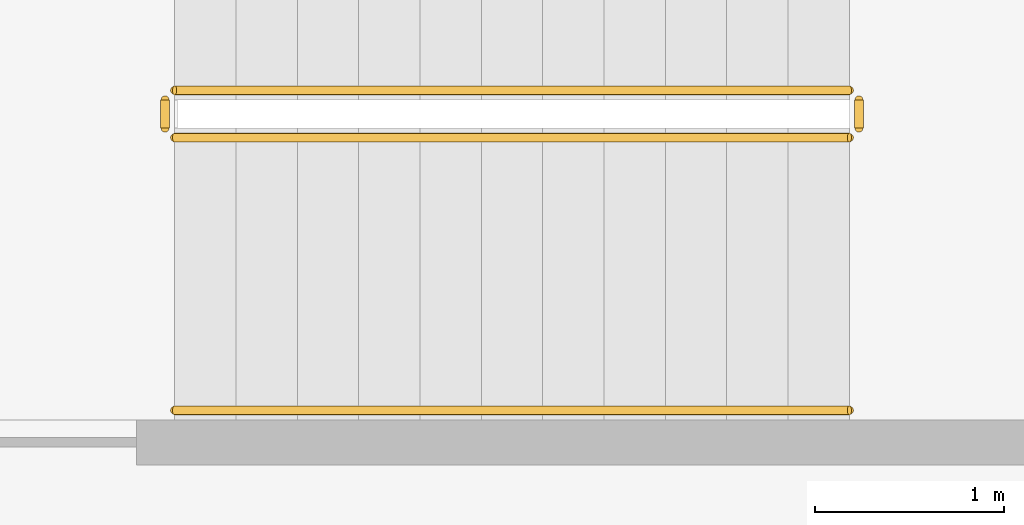
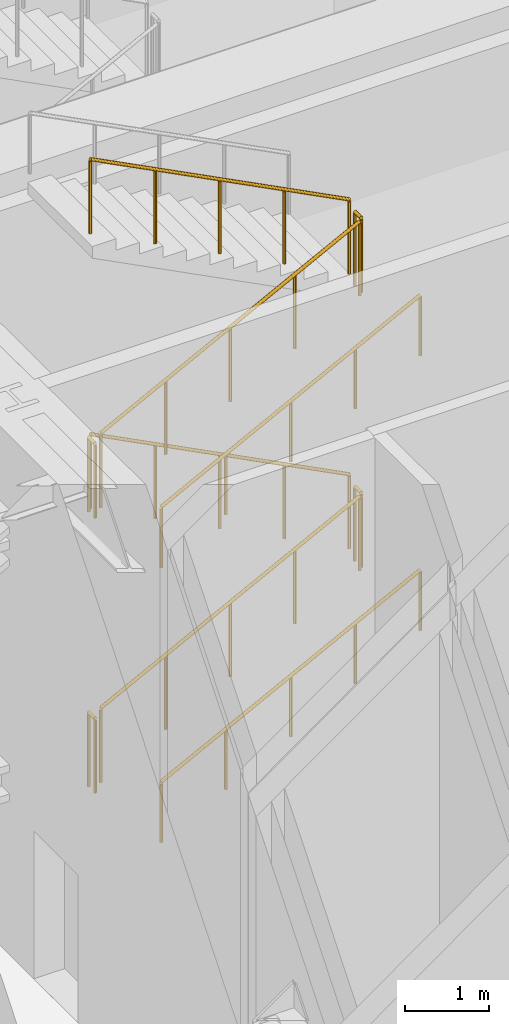
# One storey, part 13 of 15: 10 railings.
"""IFC4 building model written with IfcOpenShell, lengths in metres."""

from ifc_helpers import new_model, si_unit, direction, frame, origin, origin_2d, place, context, subcontext, project, spatial, circle, extrude, material, type_object, element, save


model = new_model("IFC4")

# Units and contexts
model_context = context("Model", 3, precision=1e-05, world=origin(), true_north=direction((0.0, 1.0)))
body_context = subcontext(model_context, "Body", "Model", "MODEL_VIEW")
ifc_project = project(units=[si_unit("LENGTHUNIT", "METRE"), si_unit("AREAUNIT", "SQUARE_METRE"), si_unit("VOLUMEUNIT", "CUBIC_METRE"), si_unit("PLANEANGLEUNIT", "RADIAN"), si_unit("MASSUNIT", "GRAM", prefix="KILO")], contexts=[model_context])

# Site, building, storey
site_placement = place(None, origin())
site = spatial("IfcSite", under=ifc_project, at=site_placement, CompositionType="ELEMENT")
building_placement = place(site_placement, origin())
building = spatial("IfcBuilding", under=site, at=building_placement, Name="Kolvaren Arena Tower", CompositionType="ELEMENT")
storey_placement = place(building_placement, frame((0.0, 0.0, 34.0)))
storey = spatial("IfcBuildingStorey", under=building, at=storey_placement, Name="L06", CompositionType="ELEMENT", Elevation=34.0)

# Railings
ifc_material_1 = material(Name="Painted galvanized steel", Category="steel")
railing_type_1 = type_object("IfcRailingType", Name="GUARD-ST-110", PredefinedType="GUARDRAIL", material=ifc_material_1)
railing_1_placement = place(storey_placement, frame((52.719970703125, 31.639892578125, 0.166748046875)))
element("IfcRailing", 1, at=railing_1_placement, inside=storey, type_object=railing_type_1, Name="L06 ST-E1 stair guard 1", PredefinedType="GUARDRAIL", context=body_context, shape_type="SweptSolid", body=[
    extrude(circle(Radius=0.02392578125, at=origin_2d()), frame((0.0, 0.0, 1.076171875), z_axis=(0.889251698267, 0.0, 0.45741820813), x_axis=(0.0, 1.0, 0.0)), (0.0, 0.0, 1.0), 4.0078125),
    extrude(circle(Radius=0.02099609375, at=origin_2d()), origin(), (0.0, 0.0, 1.0), 1.052001953125),
    extrude(circle(Radius=0.02099609375, at=origin_2d()), frame((0.89111328125, 0.0, 0.458251953125)), (0.0, 0.0, 1.0), 1.052001953125),
    extrude(circle(Radius=0.02099609375, at=origin_2d()), frame((1.781982421875, 0.0, 0.91650390625)), (0.0, 0.0, 1.0), 1.052001953125),
    extrude(circle(Radius=0.02099609375, at=origin_2d()), frame((2.6728515625, 0.0, 1.375)), (0.0, 0.0, 1.0), 1.052001953125),
    extrude(circle(Radius=0.02099609375, at=origin_2d()), frame((3.56396484375, 0.0, 1.833251953125)), (0.0, 0.0, 1.0), 1.052001953125),
])
railing_2_placement = place(storey_placement, frame((56.333984375, 31.68994140625, 2.0)))
element("IfcRailing", 2, at=railing_2_placement, inside=storey, type_object=railing_type_1, Name="L06 ST-E1 stair guard 2", PredefinedType="GUARDRAIL", context=body_context, shape_type="SweptSolid", body=[
    extrude(circle(Radius=0.02392578125, at=origin_2d()), frame((0.0, 0.0, 1.076171875), z_axis=(0.0, 1.0, 0.0), x_axis=(-1.0, 0.0, 0.0)), (0.0, 0.0, 1.0), 0.150146484375),
    extrude(circle(Radius=0.02099609375, at=origin_2d()), origin(), (0.0, 0.0, 1.0), 1.052001953125),
    extrude(circle(Radius=0.02099609375, at=origin_2d()), frame((0.0, 0.150146484375, 0.0)), (0.0, 0.0, 1.0), 1.052001953125),
])
railing_3_placement = place(storey_placement, frame((56.283935546875, 31.889892578125, 2.166748046875)))
element("IfcRailing", 3, at=railing_3_placement, inside=storey, type_object=railing_type_1, Name="L06 ST-E1 stair guard 3", PredefinedType="GUARDRAIL", context=body_context, shape_type="SweptSolid", body=[
    extrude(circle(Radius=0.02392578125, at=origin_2d()), frame((0.0, 0.0, 1.076171875), z_axis=(-0.889251698267, 0.0, 0.45741820813), x_axis=(0.0, -1.0, 0.0)), (0.0, 0.0, 1.0), 4.0078125),
    extrude(circle(Radius=0.02099609375, at=origin_2d()), origin(), (0.0, 0.0, 1.0), 1.052001953125),
    extrude(circle(Radius=0.02099609375, at=origin_2d()), frame((-0.89111328125, 0.0, 0.458251953125)), (0.0, 0.0, 1.0), 1.052001953125),
    extrude(circle(Radius=0.02099609375, at=origin_2d()), frame((-1.781982421875, 0.0, 0.91650390625)), (0.0, 0.0, 1.0), 1.052001953125),
    extrude(circle(Radius=0.02099609375, at=origin_2d()), frame((-2.6728515625, 0.0, 1.375)), (0.0, 0.0, 1.0), 1.052001953125),
    extrude(circle(Radius=0.02099609375, at=origin_2d()), frame((-3.56396484375, 0.0, 1.833251953125)), (0.0, 0.0, 1.0), 1.052001953125),
])
railing_4_placement = place(storey_placement, frame((52.669921875, 31.68994140625, 4.0)))
element("IfcRailing", 4, at=railing_4_placement, inside=storey, type_object=railing_type_1, Name="L06 ST-E1 stair guard 4", PredefinedType="GUARDRAIL", context=body_context, shape_type="SweptSolid", body=[
    extrude(circle(Radius=0.02392578125, at=origin_2d()), frame((0.0, 0.0, 1.076171875), z_axis=(0.0, 1.0, 0.0), x_axis=(-1.0, 0.0, 0.0)), (0.0, 0.0, 1.0), 0.150146484375),
    extrude(circle(Radius=0.02099609375, at=origin_2d()), origin(), (0.0, 0.0, 1.0), 1.052001953125),
    extrude(circle(Radius=0.02099609375, at=origin_2d()), frame((0.0, 0.150146484375, 0.0)), (0.0, 0.0, 1.0), 1.052001953125),
])
railing_5_placement = place(storey_placement, frame((52.719970703125, 31.639892578125, 4.166748046875)))
element("IfcRailing", 5, at=railing_5_placement, inside=storey, type_object=railing_type_1, Name="L06 ST-E1 stair guard 5", PredefinedType="GUARDRAIL", context=body_context, shape_type="SweptSolid", body=[
    extrude(circle(Radius=0.02392578125, at=origin_2d()), frame((0.0, 0.0, 1.076171875), z_axis=(0.889251698267, 0.0, 0.45741820813), x_axis=(0.0, 1.0, 0.0)), (0.0, 0.0, 1.0), 4.0078125),
    extrude(circle(Radius=0.02099609375, at=origin_2d()), origin(), (0.0, 0.0, 1.0), 1.052001953125),
    extrude(circle(Radius=0.02099609375, at=origin_2d()), frame((0.89111328125, 0.0, 0.458251953125)), (0.0, 0.0, 1.0), 1.052001953125),
    extrude(circle(Radius=0.02099609375, at=origin_2d()), frame((1.781982421875, 0.0, 0.91650390625)), (0.0, 0.0, 1.0), 1.052001953125),
    extrude(circle(Radius=0.02099609375, at=origin_2d()), frame((2.6728515625, 0.0, 1.375)), (0.0, 0.0, 1.0), 1.052001953125),
    extrude(circle(Radius=0.02099609375, at=origin_2d()), frame((3.56396484375, 0.0, 1.833251953125)), (0.0, 0.0, 1.0), 1.052001953125),
])
railing_6_placement = place(storey_placement, frame((56.333984375, 31.68994140625, 6.0)))
element("IfcRailing", 6, at=railing_6_placement, inside=storey, type_object=railing_type_1, Name="L06 ST-E1 stair guard 6", PredefinedType="GUARDRAIL", context=body_context, shape_type="SweptSolid", body=[
    extrude(circle(Radius=0.02392578125, at=origin_2d()), frame((0.0, 0.0, 1.076171875), z_axis=(0.0, 1.0, 0.0), x_axis=(-1.0, 0.0, 0.0)), (0.0, 0.0, 1.0), 0.150146484375),
    extrude(circle(Radius=0.02099609375, at=origin_2d()), origin(), (0.0, 0.0, 1.0), 1.052001953125),
    extrude(circle(Radius=0.02099609375, at=origin_2d()), frame((0.0, 0.150146484375, 0.0)), (0.0, 0.0, 1.0), 1.052001953125),
])
railing_7_placement = place(storey_placement, frame((56.283935546875, 31.889892578125, 6.166748046875)))
element("IfcRailing", 7, at=railing_7_placement, inside=storey, type_object=railing_type_1, Name="L06 ST-E1 stair guard 7", PredefinedType="GUARDRAIL", context=body_context, shape_type="SweptSolid", body=[
    extrude(circle(Radius=0.02392578125, at=origin_2d()), frame((0.0, 0.0, 1.076171875), z_axis=(-0.889251698267, 0.0, 0.45741820813), x_axis=(0.0, -1.0, 0.0)), (0.0, 0.0, 1.0), 4.0078125),
    extrude(circle(Radius=0.02099609375, at=origin_2d()), origin(), (0.0, 0.0, 1.0), 1.052001953125),
    extrude(circle(Radius=0.02099609375, at=origin_2d()), frame((-0.89111328125, 0.0, 0.458251953125)), (0.0, 0.0, 1.0), 1.052001953125),
    extrude(circle(Radius=0.02099609375, at=origin_2d()), frame((-1.781982421875, 0.0, 0.91650390625)), (0.0, 0.0, 1.0), 1.052001953125),
    extrude(circle(Radius=0.02099609375, at=origin_2d()), frame((-2.6728515625, 0.0, 1.375)), (0.0, 0.0, 1.0), 1.052001953125),
    extrude(circle(Radius=0.02099609375, at=origin_2d()), frame((-3.56396484375, 0.0, 1.833251953125)), (0.0, 0.0, 1.0), 1.052001953125),
])
railing_8_placement = place(storey_placement, frame((52.669921875, 31.68994140625, 0.0)))
element("IfcRailing", 8, at=railing_8_placement, inside=storey, type_object=railing_type_1, Name="L06 ST-E1 stair guard 8", PredefinedType="GUARDRAIL", context=body_context, shape_type="SweptSolid", body=[
    extrude(circle(Radius=0.02392578125, at=origin_2d()), frame((0.0, 0.0, 1.076171875), z_axis=(0.0, 1.0, 0.0), x_axis=(-1.0, 0.0, 0.0)), (0.0, 0.0, 1.0), 0.150146484375),
    extrude(circle(Radius=0.02099609375, at=origin_2d()), origin(), (0.0, 0.0, 1.0), 1.052001953125),
    extrude(circle(Radius=0.02099609375, at=origin_2d()), frame((0.0, 0.150146484375, 0.0)), (0.0, 0.0, 1.0), 1.052001953125),
])
ifc_material_2 = material(Name="Brushed stainless steel handrail", Category="steel")
railing_type_2 = type_object("IfcRailingType", Name="HRAIL-900", PredefinedType="HANDRAIL", material=ifc_material_2)
for number, where, name in (
    (9, (52.719970703125, 30.199951171875, 0.166748046875), "L06 ST-E1 stair handrail 1"),
    (10, (52.719970703125, 30.199951171875, 4.166748046875), "L06 ST-E1 stair handrail 3"),
):
    element("IfcRailing", number, at=place(storey_placement, frame(where)), inside=storey, type_object=railing_type_2, Name=name, PredefinedType="HANDRAIL", context=body_context, shape_type="SweptSolid", body=[
        extrude(circle(Radius=0.02392578125, at=origin_2d()), frame((0.0, 0.0, 0.8759765625), z_axis=(0.889251698267, 0.0, 0.45741820813), x_axis=(0.0, 1.0, 0.0)), (0.0, 0.0, 1.0), 4.0078125),
        extrude(circle(Radius=0.02099609375, at=origin_2d()), origin(), (0.0, 0.0, 1.0), 0.851806640625),
        extrude(circle(Radius=0.02099609375, at=origin_2d()), frame((0.89111328125, 0.0, 0.458251953125)), (0.0, 0.0, 1.0), 0.851806640625),
        extrude(circle(Radius=0.02099609375, at=origin_2d()), frame((1.781982421875, 0.0, 0.91650390625)), (0.0, 0.0, 1.0), 0.851806640625),
        extrude(circle(Radius=0.02099609375, at=origin_2d()), frame((2.6728515625, 0.0, 1.375)), (0.0, 0.0, 1.0), 0.851806640625),
        extrude(circle(Radius=0.02099609375, at=origin_2d()), frame((3.56396484375, 0.0, 1.833251953125)), (0.0, 0.0, 1.0), 0.851806640625),
    ])

save(model, "model.ifc")
